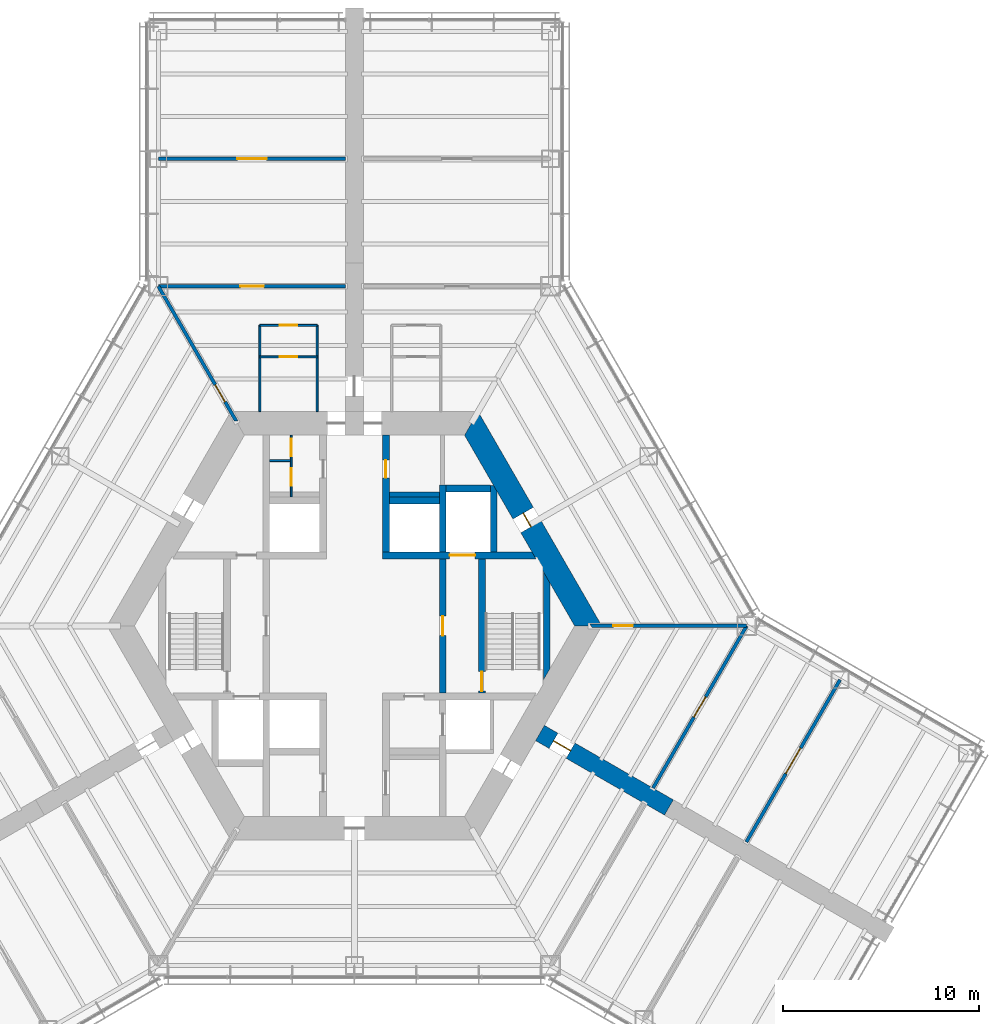
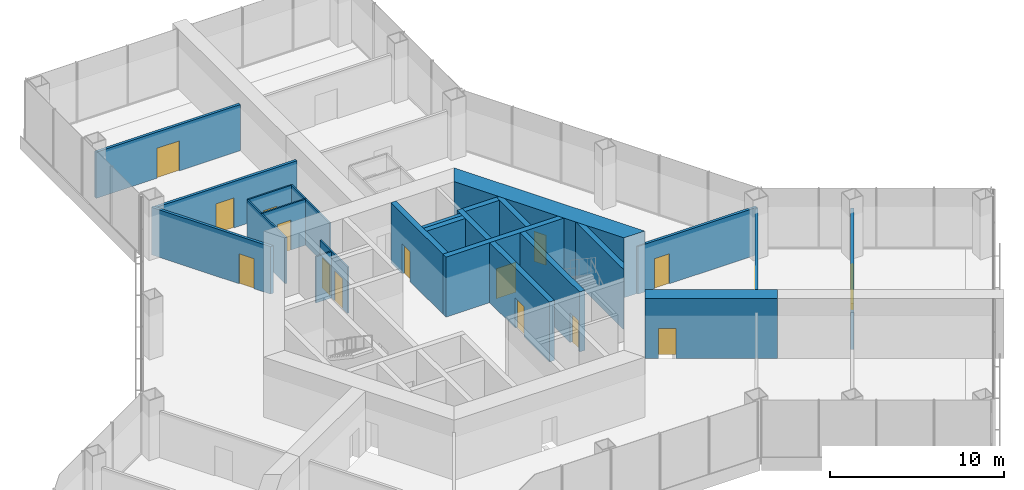
# One storey, part 12 of 15: 24 walls, 16 doors, 16 openings.
"""IFC4 building model written with IfcOpenShell, lengths in metres."""

from ifc_helpers import new_model, si_unit, direction, frame, frame_2d, origin, place, context, subcontext, project, spatial, polyline, rectangle, outline, extrude, material, layer, layer_set, type_object, element, fill, save


model = new_model("IFC4")

# Units and contexts
model_context = context("Model", 3, precision=1e-05, world=origin(), true_north=direction((0.0, 1.0)))
body_context = subcontext(model_context, "Body", "Model", "MODEL_VIEW")
ifc_project = project(units=[si_unit("LENGTHUNIT", "METRE"), si_unit("AREAUNIT", "SQUARE_METRE"), si_unit("VOLUMEUNIT", "CUBIC_METRE"), si_unit("PLANEANGLEUNIT", "RADIAN"), si_unit("MASSUNIT", "GRAM", prefix="KILO")], contexts=[model_context])

# Site, building, storey
site_placement = place(None, origin())
site = spatial("IfcSite", under=ifc_project, at=site_placement, CompositionType="ELEMENT")
building_placement = place(site_placement, origin())
building = spatial("IfcBuilding", under=site, at=building_placement, Name="Kasaneha Research Tower", CompositionType="ELEMENT")
storey_placement = place(building_placement, frame((0.0, 0.0, 35.199951171875)))
storey = spatial("IfcBuildingStorey", under=building, at=storey_placement, Name="L09", CompositionType="ELEMENT", Elevation=35.199951171875)

# Wall, opening, door
ifc_material_1 = material(Name="Concrete Fc100", Category="concrete")
ifc_layer_1 = layer(ifc_material_1, 0.35009765625)
ifc_layer_set_1 = layer_set([ifc_layer_1], Name="Core internal wall 350 Fc100")
wall_type_1 = type_object("IfcWallType", Name="Core internal wall 350 Fc100", PredefinedType="SHEAR", material=ifc_layer_set_1)
wall_1_placement = place(storey_placement, frame((1.425048828125, 3.60009765625, 0.0), z_axis=(0.0, 0.0, 1.0), x_axis=(1.0, 0.0, 0.0)))
wall_1 = element("IfcWall", 1, at=wall_1_placement, inside=storey, type_object=wall_type_1, Name="Core wall W1E L09", PredefinedType="SHEAR", context=body_context, shape_type="SweptSolid", body=[
    extrude(outline(polyline([(0.0, -0.175048828125), (3.425048828125, -0.175048828125), (4.72509765625, -0.175048828125), (7.8271484375, -0.175048828125), (7.625, 0.175048828125), (4.72509765625, 0.175048828125), (3.425048828125, 0.175048828125), (0.0, 0.175048828125), (0.0, -0.175048828125)])), origin(), (0.0, 0.0, 1.0), 4.199951171875),
])
opening_1_placement = place(wall_1_placement, frame((3.425048828125, 0.0, 0.0)))
opening_1 = element("IfcOpeningElement", 2, at=opening_1_placement, cuts=wall_1, Name="Opening LD-FL1-L09", PredefinedType="OPENING", context=body_context, shape_type="SweptSolid", body=[
    extrude(rectangle(XDim=1.300048828125, YDim=2.10009765625, at=frame_2d((0.64990234375, 1.050048828125))), frame((0.0, 0.18505859375, 0.0), z_axis=(0.0, -1.0, 0.0), x_axis=(1.0, 0.0, 0.0)), (0.0, 0.0, 1.0), 0.3701171875),
])
ifc_material_2 = material(Name="Steel", Category="steel")
door_type_1 = type_object("IfcDoorType", Name="Lift landing door 1300x2100", OperationType="DOUBLE_DOOR_SLIDING", PredefinedType="DOOR", material=ifc_material_2)
door_1_placement = place(opening_1_placement, origin())
door_1 = element("IfcDoor", 3, at=door_1_placement, inside=storey, type_object=door_type_1, Name="Landing door FL1 LD-FL1-L09", OperationType="DOUBLE_DOOR_SLIDING", OverallHeight=2.10009765625, OverallWidth=1.300048828125, PredefinedType="DOOR", context=body_context, shape_type="SweptSolid", body=[
    extrude(rectangle(XDim=1.300048828125, YDim=2.10009765625, at=frame_2d((0.64990234375, 1.050048828125))), frame((0.0, 0.02490234375, 0.0), z_axis=(0.0, -1.0, 0.0), x_axis=(1.0, 0.0, 0.0)), (0.0, 0.0, 1.0), 0.050048828125),
])
fill(opening_1, door_1)

wall_2_placement = place(storey_placement, frame((1.60009765625, 3.77490234375, 0.0), z_axis=(0.0, 0.0, 1.0), x_axis=(0.0, 1.0, 0.0)))
wall_2 = element("IfcWall", 4, at=wall_2_placement, inside=storey, type_object=wall_type_1, Name="Core wall CNE L09", PredefinedType="SHEAR", context=body_context, shape_type="SweptSolid", body=[
    extrude(rectangle(XDim=5.9501953125, YDim=0.35009765625, at=frame_2d((2.97509765625, 0.0))), origin(), (0.0, 0.0, 1.0), 4.199951171875),
])
opening_2_placement = place(wall_2_placement, frame((3.77490234375, 0.0, 0.0)))
opening_2 = element("IfcOpeningElement", 5, at=opening_2_placement, cuts=wall_2, Name="Opening L09-D14", PredefinedType="OPENING", context=body_context, shape_type="SweptSolid", body=[
    extrude(rectangle(XDim=0.89990234375, YDim=2.10009765625, at=frame_2d((0.449951171875, 1.050048828125))), frame((0.0, 0.18505859375, 0.0), z_axis=(0.0, -1.0, 0.0), x_axis=(1.0, 0.0, 0.0)), (0.0, 0.0, 1.0), 0.3701171875),
])
ifc_material_3 = material(Name="Steel", Category="steel")
door_type_2 = type_object("IfcDoorType", Name="Toilet door FD20 900x2100", OperationType="NOTDEFINED", PredefinedType="DOOR", material=ifc_material_3)
door_2_placement = place(opening_2_placement, origin())
door_2 = element("IfcDoor", 6, at=door_2_placement, inside=storey, type_object=door_type_2, Name="Women's WC door L09-D14", OperationType="SINGLE_SWING_LEFT", OverallHeight=2.10009765625, OverallWidth=0.89990234375, PredefinedType="DOOR", context=body_context, shape_type="SweptSolid", body=[
    extrude(rectangle(XDim=0.89990234375, YDim=2.10009765625, at=frame_2d((0.449951171875, 1.050048828125))), frame((0.0, 0.02490234375, 0.0), z_axis=(0.0, -1.0, 0.0), x_axis=(1.0, 0.0, 0.0)), (0.0, 0.0, 1.0), 0.050048828125),
])
fill(opening_2, door_2)

wall_3_placement = place(storey_placement, frame((4.5, -3.425048828125, 0.0), z_axis=(0.0, 0.0, 1.0), x_axis=(0.0, 1.0, 0.0)))
wall_3 = element("IfcWall", 7, at=wall_3_placement, inside=storey, type_object=wall_type_1, Name="Core wall LBE L09", PredefinedType="SHEAR", context=body_context, shape_type="SweptSolid", body=[
    extrude(rectangle(XDim=6.85009765625, YDim=0.35009765625, at=frame_2d((3.425048828125, 0.0))), origin(), (0.0, 0.0, 1.0), 4.199951171875),
])
opening_3_placement = place(wall_3_placement, frame((2.925048828125, 0.0, 0.0)))
opening_3 = element("IfcOpeningElement", 8, at=opening_3_placement, cuts=wall_3, Name="Opening L09-D08", PredefinedType="OPENING", context=body_context, shape_type="SweptSolid", body=[
    extrude(rectangle(XDim=1.0, YDim=2.10009765625, at=frame_2d((0.5, 1.050048828125))), frame((0.0, 0.18505859375, 0.0), z_axis=(0.0, -1.0, 0.0), x_axis=(1.0, 0.0, 0.0)), (0.0, 0.0, 1.0), 0.3701171875),
])
ifc_material_4 = material(Name="Steel", Category="steel")
door_type_3 = type_object("IfcDoorType", Name="Specified fire door FD60 1000x2100", OperationType="NOTDEFINED", PredefinedType="DOOR", material=ifc_material_4)
door_3_placement = place(opening_3_placement, origin())
door_3 = element("IfcDoor", 9, at=door_3_placement, inside=storey, type_object=door_type_3, Name="Lift lobby door east L09-D08", OperationType="SINGLE_SWING_LEFT", OverallHeight=2.10009765625, OverallWidth=1.0, PredefinedType="DOOR", context=body_context, shape_type="SweptSolid", body=[
    extrude(rectangle(XDim=1.0, YDim=2.10009765625, at=frame_2d((0.5, 1.050048828125))), frame((0.0, 0.02490234375, 0.0), z_axis=(0.0, -1.0, 0.0), x_axis=(1.0, 0.0, 0.0)), (0.0, 0.0, 1.0), 0.050048828125),
])
fill(opening_3, door_3)

wall_4_placement = place(storey_placement, frame((6.5, -3.425048828125, 0.0), z_axis=(0.0, 0.0, 1.0), x_axis=(0.0, 1.0, 0.0)))
wall_4 = element("IfcWall", 10, at=wall_4_placement, inside=storey, type_object=wall_type_1, Name="Core wall ANE L09", PredefinedType="SHEAR", context=body_context, shape_type="SweptSolid", body=[
    extrude(rectangle(XDim=6.85009765625, YDim=0.35009765625, at=frame_2d((3.425048828125, 0.0))), origin(), (0.0, 0.0, 1.0), 4.199951171875),
])
opening_4_placement = place(wall_4_placement, frame((0.10009765625, 0.0, 0.0)))
opening_4 = element("IfcOpeningElement", 11, at=opening_4_placement, cuts=wall_4, Name="Opening L09-D10", PredefinedType="OPENING", context=body_context, shape_type="SweptSolid", body=[
    extrude(rectangle(XDim=1.0, YDim=2.10009765625, at=frame_2d((0.5, 1.050048828125))), frame((0.0, 0.18505859375, 0.0), z_axis=(0.0, -1.0, 0.0), x_axis=(1.0, 0.0, 0.0)), (0.0, 0.0, 1.0), 0.3701171875),
])
door_4_placement = place(opening_4_placement, origin())
door_4 = element("IfcDoor", 12, at=door_4_placement, inside=storey, type_object=door_type_3, Name="Stair 1 door L09-D10", OperationType="SINGLE_SWING_LEFT", OverallHeight=2.10009765625, OverallWidth=1.0, PredefinedType="DOOR", context=body_context, shape_type="SweptSolid", body=[
    extrude(rectangle(XDim=1.0, YDim=2.10009765625, at=frame_2d((0.5, 1.050048828125))), frame((0.0, 0.02490234375, 0.0), z_axis=(0.0, -1.0, 0.0), x_axis=(1.0, 0.0, 0.0)), (0.0, 0.0, 1.0), 0.050048828125),
])
fill(opening_4, door_4)

# Walls
wall_5_placement = place(storey_placement, frame((4.5, 3.77490234375, 0.0), z_axis=(0.0, 0.0, 1.0), x_axis=(0.0, 1.0, 0.0)))
element("IfcWall", 13, at=wall_5_placement, inside=storey, type_object=wall_type_1, Name="Core wall FNE L09", PredefinedType="SHEAR", context=body_context, shape_type="SweptSolid", body=[
    extrude(rectangle(XDim=3.400146484375, YDim=0.35009765625, at=frame_2d((1.7001953125, 0.0))), origin(), (0.0, 0.0, 1.0), 4.199951171875),
])
wall_6_placement = place(storey_placement, frame((1.77490234375, 6.39990234375, 0.0), z_axis=(0.0, 0.0, 1.0), x_axis=(1.0, 0.0, 0.0)))
element("IfcWall", 14, at=wall_6_placement, inside=storey, type_object=wall_type_1, Name="Core wall N3N L09", PredefinedType="SHEAR", context=body_context, shape_type="SweptSolid", body=[
    extrude(rectangle(XDim=2.550048828125, YDim=0.35009765625, at=frame_2d((1.27490234375, 0.0))), origin(), (0.0, 0.0, 1.0), 4.199951171875),
])
wall_7_placement = place(storey_placement, frame((4.675048828125, 7.0, 0.0), z_axis=(0.0, 0.0, 1.0), x_axis=(1.0, 0.0, 0.0)))
element("IfcWall", 15, at=wall_7_placement, inside=storey, type_object=wall_type_1, Name="Core wall F1N L09", PredefinedType="SHEAR", context=body_context, shape_type="SweptSolid", body=[
    extrude(rectangle(XDim=2.25, YDim=0.35009765625, at=frame_2d((1.125, 0.0))), origin(), (0.0, 0.0, 1.0), 4.199951171875),
])
wall_8_placement = place(storey_placement, frame((7.10009765625, 3.77490234375, 0.0), z_axis=(0.0, 0.0, 1.0), x_axis=(0.0, 1.0, 0.0)))
element("IfcWall", 16, at=wall_8_placement, inside=storey, type_object=wall_type_1, Name="Core wall F1E L09", PredefinedType="SHEAR", context=body_context, shape_type="SweptSolid", body=[
    extrude(outline(polyline([(0.0, -0.175048828125), (3.07421875, -0.175048828125), (3.37744140625, 0.0), (3.39990234375, 0.175048828125), (0.0, 0.175048828125), (0.0, -0.175048828125)])), origin(), (0.0, 0.0, 1.0), 4.199951171875),
])
wall_9_placement = place(storey_placement, frame((9.807861328125, -2.462158203125, 0.0), z_axis=(0.0, 0.0, 1.0), x_axis=(0.0, 1.0, 0.0)))
element("IfcWall", 17, at=wall_9_placement, inside=storey, type_object=wall_type_1, Name="Core wall STE L09", PredefinedType="SHEAR", context=body_context, shape_type="SweptSolid", body=[
    extrude(outline(polyline([(0.30322265625, -0.175048828125), (4.62109375, -0.175048828125), (5.2275390625, 0.175048828125), (-0.30322265625, 0.175048828125), (0.30322265625, -0.175048828125)])), origin(), (0.0, 0.0, 1.0), 4.199951171875),
])

# Wall, opening, door
ifc_material_5 = material(Name="Concrete Fc100", Category="concrete")
ifc_layer_2 = layer(ifc_material_5, 1.199951171875)
ifc_layer_set_2 = layer_set([ifc_layer_2], Name="Core wall 1200 Fc100")
wall_type_2 = type_object("IfcWallType", Name="Core wall 1200 Fc100", PredefinedType="SHEAR", material=ifc_layer_set_2)
wall_10_placement = place(storey_placement, frame((11.92236328125, 0.0, 0.0), z_axis=(0.0, 0.0, 1.0), x_axis=(-0.500004296715, 0.866022923061, 0.0)))
wall_10 = element("IfcWall", 18, at=wall_10_placement, inside=storey, type_object=wall_type_2, Name="Core wall 030 L09", PredefinedType="SHEAR", context=body_context, shape_type="SweptSolid", body=[
    extrude(outline(polyline([(-0.346435546875, -0.60009765625), (5.83544921875, -0.60009765625), (6.635498046875, -0.60009765625), (12.268798828125, -0.60009765625), (11.575927734375, 0.60009765625), (6.635498046875, 0.60009765625), (5.83544921875, 0.60009765625), (0.346435546875, 0.60009765625), (-0.346435546875, -0.60009765625)])), origin(), (0.0, 0.0, 1.0), 4.199951171875),
])
opening_5_placement = place(wall_10_placement, frame((5.83544921875, 0.0, 0.0)))
opening_5 = element("IfcOpeningElement", 19, at=opening_5_placement, cuts=wall_10, Name="Opening L09-D04", PredefinedType="OPENING", context=body_context, shape_type="SweptSolid", body=[
    extrude(rectangle(XDim=0.800048828125, YDim=2.10009765625, at=frame_2d((0.39990234375, 1.050048828125))), frame((0.0, 0.60986328125, 0.0), z_axis=(0.0, -1.0, 0.0), x_axis=(1.0, 0.0, 0.0)), (0.0, 0.0, 1.0), 1.219970703125),
])
ifc_material_6 = material(Name="Steel", Category="steel")
door_type_4 = type_object("IfcDoorType", Name="Riser access door FD60 800x2100", OperationType="NOTDEFINED", PredefinedType="DOOR", material=ifc_material_6)
door_5_placement = place(opening_5_placement, origin())
door_5 = element("IfcDoor", 20, at=door_5_placement, inside=storey, type_object=door_type_4, Name="Pipe riser door L09-D04", OperationType="SINGLE_SWING_RIGHT", OverallHeight=2.10009765625, OverallWidth=0.800048828125, PredefinedType="DOOR", context=body_context, shape_type="SweptSolid", body=[
    extrude(rectangle(XDim=0.800048828125, YDim=2.10009765625, at=frame_2d((0.39990234375, 1.050048828125))), frame((0.0, 0.02490234375, 0.0), z_axis=(0.0, -1.0, 0.0), x_axis=(1.0, 0.0, 0.0)), (0.0, 0.0, 1.0), 0.050048828125),
])
fill(opening_5, door_5)

ifc_material_7 = material(Name="Gypsum board on steel studs, two layers each side", Category="steel")
ifc_layer_3 = layer(ifc_material_7, 0.175048828125)
ifc_layer_set_3 = layer_set([ifc_layer_3], Name="Laboratory fire partition 175")
wall_type_3 = type_object("IfcWallType", Name="Laboratory fire partition 175", PredefinedType="PARTITIONING", material=ifc_layer_set_3)
wall_11_placement = place(storey_placement, frame((-0.449951171875, 17.320556640625, 0.0), z_axis=(0.0, 0.0, 1.0), x_axis=(-1.0, 0.0, 0.0)))
wall_11 = element("IfcWall", 21, at=wall_11_placement, inside=storey, type_object=wall_type_3, Name="Laboratory fire partition LABA-W L09", PredefinedType="PARTITIONING", context=body_context, shape_type="SweptSolid", body=[
    extrude(rectangle(XDim=9.550048828125, YDim=0.175048828125, at=frame_2d((4.77490234375, 0.0))), origin(), (0.0, 0.0, 1.0), 3.238037109375),
])
opening_6_placement = place(wall_11_placement, frame((4.175048828125, 0.0, 0.0)))
opening_6 = element("IfcOpeningElement", 22, at=opening_6_placement, cuts=wall_11, Name="Opening L09-D31", PredefinedType="OPENING", context=body_context, shape_type="SweptSolid", body=[
    extrude(rectangle(XDim=1.199951171875, YDim=2.10009765625, at=frame_2d((0.60009765625, 1.050048828125))), frame((0.0, 0.09765625, 0.0), z_axis=(0.0, -1.0, 0.0), x_axis=(1.0, 0.0, 0.0)), (0.0, 0.0, 1.0), 0.195068359375),
])
ifc_material_8 = material(Name="Steel", Category="steel")
door_type_5 = type_object("IfcDoorType", Name="Laboratory door FD60 1200x2100", OperationType="DOUBLE_DOOR_SINGLE_SWING", PredefinedType="DOOR", material=ifc_material_8)
door_6_placement = place(opening_6_placement, origin())
door_6 = element("IfcDoor", 23, at=door_6_placement, inside=storey, type_object=door_type_5, Name="Laboratory door L09-D31", OperationType="DOUBLE_DOOR_SINGLE_SWING", OverallHeight=2.10009765625, OverallWidth=1.199951171875, PredefinedType="DOOR", context=body_context, shape_type="SweptSolid", body=[
    extrude(rectangle(XDim=1.199951171875, YDim=2.10009765625, at=frame_2d((0.60009765625, 1.050048828125))), frame((0.0, 0.02490234375, 0.0), z_axis=(0.0, -1.0, 0.0), x_axis=(1.0, 0.0, 0.0)), (0.0, 0.0, 1.0), 0.050048828125),
])
fill(opening_6, door_6)

wall_12_placement = place(storey_placement, frame((-0.449951171875, 23.820556640625, 0.0), z_axis=(0.0, 0.0, 1.0), x_axis=(-1.0, 0.0, 0.0)))
wall_12 = element("IfcWall", 24, at=wall_12_placement, inside=storey, type_object=wall_type_3, Name="Laboratory fire partition INSA-W L09", PredefinedType="PARTITIONING", context=body_context, shape_type="SweptSolid", body=[
    extrude(rectangle(XDim=9.550048828125, YDim=0.175048828125, at=frame_2d((4.77490234375, 0.0))), origin(), (0.0, 0.0, 1.0), 3.22998046875),
])
opening_7_placement = place(wall_12_placement, frame((4.02490234375, 0.0, 0.0)))
opening_7 = element("IfcOpeningElement", 25, at=opening_7_placement, cuts=wall_12, Name="Opening L09-D32", PredefinedType="OPENING", context=body_context, shape_type="SweptSolid", body=[
    extrude(rectangle(XDim=1.5, YDim=2.10009765625, at=frame_2d((0.75, 1.050048828125))), frame((0.0, 0.09765625, 0.0), z_axis=(0.0, -1.0, 0.0), x_axis=(1.0, 0.0, 0.0)), (0.0, 0.0, 1.0), 0.195068359375),
])
ifc_material_9 = material(Name="Steel", Category="steel")
door_type_6 = type_object("IfcDoorType", Name="Laboratory door FD60 1500x2100", OperationType="DOUBLE_DOOR_SINGLE_SWING", PredefinedType="DOOR", material=ifc_material_9)
door_7_placement = place(opening_7_placement, origin())
door_7 = element("IfcDoor", 26, at=door_7_placement, inside=storey, type_object=door_type_6, Name="Instrument room door L09-D32", OperationType="DOUBLE_DOOR_SINGLE_SWING", OverallHeight=2.10009765625, OverallWidth=1.5, PredefinedType="DOOR", context=body_context, shape_type="SweptSolid", body=[
    extrude(rectangle(XDim=1.5, YDim=2.10009765625, at=frame_2d((0.75, 1.050048828125))), frame((0.0, 0.02490234375, 0.0), z_axis=(0.0, -1.0, 0.0), x_axis=(1.0, 0.0, 0.0)), (0.0, 0.0, 1.0), 0.050048828125),
])
fill(opening_7, door_7)

wall_13_placement = place(storey_placement, frame((15.22509765625, -8.2705078125, 0.0), z_axis=(0.0, 0.0, 1.0), x_axis=(0.499993908199, 0.866028920859, 0.0)))
wall_13 = element("IfcWall", 27, at=wall_13_placement, inside=storey, type_object=wall_type_3, Name="Laboratory fire partition LABC-E L09", PredefinedType="PARTITIONING", context=body_context, shape_type="SweptSolid", body=[
    extrude(rectangle(XDim=9.5498046875, YDim=0.175048828125, at=frame_2d((4.77490234375, 0.0))), origin(), (0.0, 0.0, 1.0), 3.238037109375),
])
opening_8_placement = place(wall_13_placement, frame((4.175048828125, 0.0, 0.0)))
opening_8 = element("IfcOpeningElement", 28, at=opening_8_placement, cuts=wall_13, Name="Opening L09-D37", PredefinedType="OPENING", context=body_context, shape_type="SweptSolid", body=[
    extrude(rectangle(XDim=1.199951171875, YDim=2.10009765625, at=frame_2d((0.60009765625, 1.050048828125))), frame((0.0, 0.09765625, 0.0), z_axis=(0.0, -1.0, 0.0), x_axis=(1.0, 0.0, 0.0)), (0.0, 0.0, 1.0), 0.195068359375),
])
door_8_placement = place(opening_8_placement, origin())
door_8 = element("IfcDoor", 29, at=door_8_placement, inside=storey, type_object=door_type_5, Name="Laboratory door L09-D37", OperationType="DOUBLE_DOOR_SINGLE_SWING", OverallHeight=2.10009765625, OverallWidth=1.199951171875, PredefinedType="DOOR", context=body_context, shape_type="SweptSolid", body=[
    extrude(rectangle(XDim=1.199951171875, YDim=2.10009765625, at=frame_2d((0.60009765625, 1.050048828125))), frame((0.0, 0.02490234375, 0.0), z_axis=(0.0, -1.0, 0.0), x_axis=(1.0, 0.0, 0.0)), (0.0, 0.0, 1.0), 0.050048828125),
])
fill(opening_8, door_8)

wall_14_placement = place(storey_placement, frame((19.988037109375, -11.0205078125, 0.0), z_axis=(0.0, 0.0, 1.0), x_axis=(0.500013081493, 0.866017851049, 0.0)))
wall_14 = element("IfcWall", 30, at=wall_14_placement, inside=storey, type_object=wall_type_3, Name="Laboratory fire partition INSC-E L09", PredefinedType="PARTITIONING", context=body_context, shape_type="SweptSolid", body=[
    extrude(rectangle(XDim=9.550048828125, YDim=0.175048828125, at=frame_2d((4.77490234375, 0.0))), origin(), (0.0, 0.0, 1.0), 3.22998046875),
])
opening_9_placement = place(wall_14_placement, frame((4.02490234375, 0.0, 0.0)))
opening_9 = element("IfcOpeningElement", 31, at=opening_9_placement, cuts=wall_14, Name="Opening L09-D38", PredefinedType="OPENING", context=body_context, shape_type="SweptSolid", body=[
    extrude(rectangle(XDim=1.5, YDim=2.10009765625, at=frame_2d((0.75, 1.050048828125))), frame((0.0, 0.09765625, 0.0), z_axis=(0.0, -1.0, 0.0), x_axis=(1.0, 0.0, 0.0)), (0.0, 0.0, 1.0), 0.195068359375),
])
door_9_placement = place(opening_9_placement, origin())
door_9 = element("IfcDoor", 32, at=door_9_placement, inside=storey, type_object=door_type_6, Name="Instrument room door L09-D38", OperationType="DOUBLE_DOOR_SINGLE_SWING", OverallHeight=2.10009765625, OverallWidth=1.5, PredefinedType="DOOR", context=body_context, shape_type="SweptSolid", body=[
    extrude(rectangle(XDim=1.5, YDim=2.10009765625, at=frame_2d((0.75, 1.050048828125))), frame((0.0, 0.02490234375, 0.0), z_axis=(0.0, -1.0, 0.0), x_axis=(1.0, 0.0, 0.0)), (0.0, 0.0, 1.0), 0.050048828125),
])
fill(opening_9, door_9)

# Wall, openings, doors
ifc_material_10 = material(Name="Gypsum board on steel studs, one layer each side", Category="steel")
ifc_layer_4 = layer(ifc_material_10, 0.10009765625)
ifc_layer_set_4 = layer_set([ifc_layer_4], Name="Office partition 100")
wall_type_4 = type_object("IfcWallType", Name="Office partition 100", PredefinedType="PARTITIONING", material=ifc_layer_set_4)
wall_15_placement = place(storey_placement, frame((-3.22509765625, 6.574951171875, 0.0), z_axis=(0.0, 0.0, 1.0), x_axis=(0.0, 1.0, 0.0)))
wall_15 = element("IfcWall", 33, at=wall_15_placement, inside=storey, type_object=wall_type_4, Name="Office partition TBM1 L09", PredefinedType="PARTITIONING", context=body_context, shape_type="SweptSolid", body=[
    extrude(rectangle(XDim=3.150146484375, YDim=0.10009765625, at=frame_2d((1.5751953125, 0.0))), origin(), (0.0, 0.0, 1.0), 3.22998046875),
])
opening_10_placement = place(wall_15_placement, frame((0.574951171875, 0.0, 0.0)))
opening_10 = element("IfcOpeningElement", 34, at=opening_10_placement, cuts=wall_15, Name="Opening L09-D20", PredefinedType="OPENING", context=body_context, shape_type="SweptSolid", body=[
    extrude(rectangle(XDim=0.89990234375, YDim=2.10009765625, at=frame_2d((0.449951171875, 1.050048828125))), frame((0.0, 0.06005859375, 0.0), z_axis=(0.0, -1.0, 0.0), x_axis=(1.0, 0.0, 0.0)), (0.0, 0.0, 1.0), 0.1201171875),
])
opening_11_placement = place(wall_15_placement, frame((2.074951171875, 0.0, 0.0)))
opening_11 = element("IfcOpeningElement", 35, at=opening_11_placement, cuts=wall_15, Name="Opening L09-D21", PredefinedType="OPENING", context=body_context, shape_type="SweptSolid", body=[
    extrude(rectangle(XDim=0.89990234375, YDim=2.10009765625, at=frame_2d((0.449951171875, 1.050048828125))), frame((0.0, 0.06005859375, 0.0), z_axis=(0.0, -1.0, 0.0), x_axis=(1.0, 0.0, 0.0)), (0.0, 0.0, 1.0), 0.1201171875),
])
ifc_material_11 = material(Name="Steel", Category="steel")
door_type_7 = type_object("IfcDoorType", Name="Toilet lobby door FD30 900x2100", OperationType="NOTDEFINED", PredefinedType="DOOR", material=ifc_material_11)
door_10_placement = place(opening_10_placement, origin())
door_10 = element("IfcDoor", 36, at=door_10_placement, inside=storey, type_object=door_type_7, Name="Men's WC door L09-D20", OperationType="SINGLE_SWING_RIGHT", OverallHeight=2.10009765625, OverallWidth=0.89990234375, PredefinedType="DOOR", context=body_context, shape_type="SweptSolid", body=[
    extrude(rectangle(XDim=0.89990234375, YDim=2.10009765625, at=frame_2d((0.449951171875, 1.050048828125))), frame((0.0, 0.02490234375, 0.0), z_axis=(0.0, -1.0, 0.0), x_axis=(1.0, 0.0, 0.0)), (0.0, 0.0, 1.0), 0.050048828125),
])
fill(opening_10, door_10)
door_11_placement = place(opening_11_placement, origin())
door_11 = element("IfcDoor", 37, at=door_11_placement, inside=storey, type_object=door_type_7, Name="Cleaner's store door L09-D21", OperationType="SINGLE_SWING_RIGHT", OverallHeight=2.10009765625, OverallWidth=0.89990234375, PredefinedType="DOOR", context=body_context, shape_type="SweptSolid", body=[
    extrude(rectangle(XDim=0.89990234375, YDim=2.10009765625, at=frame_2d((0.449951171875, 1.050048828125))), frame((0.0, 0.02490234375, 0.0), z_axis=(0.0, -1.0, 0.0), x_axis=(1.0, 0.0, 0.0)), (0.0, 0.0, 1.0), 0.050048828125),
])
fill(opening_11, door_11)

# Wall
wall_16_placement = place(storey_placement, frame((-3.27490234375, 8.425048828125, 0.0), z_axis=(0.0, 0.0, 1.0), x_axis=(-1.0, 0.0, 0.0)))
element("IfcWall", 38, at=wall_16_placement, inside=storey, type_object=wall_type_4, Name="Office partition TBM2 L09", PredefinedType="PARTITIONING", context=body_context, shape_type="SweptSolid", body=[
    extrude(rectangle(XDim=1.050048828125, YDim=0.10009765625, at=frame_2d((0.52490234375, 0.0))), origin(), (0.0, 0.0, 1.0), 3.22998046875),
])

# Wall, opening, door
wall_17_placement = place(storey_placement, frame((-4.82861328125, 13.72509765625, 0.0), z_axis=(0.0, 0.0, 1.0), x_axis=(1.0, 0.0, 0.0)))
wall_17 = element("IfcWall", 39, at=wall_17_placement, inside=storey, type_object=wall_type_4, Name="Office partition WCAW1 L09", PredefinedType="PARTITIONING", context=body_context, shape_type="SweptSolid", body=[
    extrude(rectangle(XDim=2.9287109375, YDim=0.10009765625, at=frame_2d((1.46435546875, 0.0))), origin(), (0.0, 0.0, 1.0), 3.22998046875),
])
opening_12_placement = place(wall_17_placement, frame((1.01416015625, 0.0, 0.0)))
opening_12 = element("IfcOpeningElement", 40, at=opening_12_placement, cuts=wall_17, Name="Opening L09-D29", PredefinedType="OPENING", context=body_context, shape_type="SweptSolid", body=[
    extrude(rectangle(XDim=0.89990234375, YDim=2.10009765625, at=frame_2d((0.449951171875, 1.050048828125))), frame((0.0, 0.06005859375, 0.0), z_axis=(0.0, -1.0, 0.0), x_axis=(1.0, 0.0, 0.0)), (0.0, 0.0, 1.0), 0.1201171875),
])
door_12_placement = place(opening_12_placement, origin())
door_12 = element("IfcDoor", 41, at=door_12_placement, inside=storey, type_object=door_type_7, Name="Men's WC door L09-D29", OperationType="SINGLE_SWING_LEFT", OverallHeight=2.10009765625, OverallWidth=0.89990234375, PredefinedType="DOOR", context=body_context, shape_type="SweptSolid", body=[
    extrude(rectangle(XDim=0.89990234375, YDim=2.10009765625, at=frame_2d((0.449951171875, 1.050048828125))), frame((0.0, 0.02490234375, 0.0), z_axis=(0.0, -1.0, 0.0), x_axis=(1.0, 0.0, 0.0)), (0.0, 0.0, 1.0), 0.050048828125),
])
fill(opening_12, door_12)

wall_18_placement = place(storey_placement, frame((-4.82861328125, 15.324951171875, 0.0), z_axis=(0.0, 0.0, 1.0), x_axis=(1.0, 0.0, 0.0)))
wall_18 = element("IfcWall", 42, at=wall_18_placement, inside=storey, type_object=wall_type_4, Name="Office partition WCAW4 L09", PredefinedType="PARTITIONING", context=body_context, shape_type="SweptSolid", body=[
    extrude(rectangle(XDim=2.9287109375, YDim=0.10009765625, at=frame_2d((1.46435546875, 0.0))), origin(), (0.0, 0.0, 1.0), 3.22998046875),
])
opening_13_placement = place(wall_18_placement, frame((1.01416015625, 0.0, 0.0)))
opening_13 = element("IfcOpeningElement", 43, at=opening_13_placement, cuts=wall_18, Name="Opening L09-D30", PredefinedType="OPENING", context=body_context, shape_type="SweptSolid", body=[
    extrude(rectangle(XDim=0.89990234375, YDim=2.10009765625, at=frame_2d((0.449951171875, 1.050048828125))), frame((0.0, 0.06005859375, 0.0), z_axis=(0.0, -1.0, 0.0), x_axis=(1.0, 0.0, 0.0)), (0.0, 0.0, 1.0), 0.1201171875),
])
door_13_placement = place(opening_13_placement, origin())
door_13 = element("IfcDoor", 44, at=door_13_placement, inside=storey, type_object=door_type_7, Name="Toilet lobby door L09-D30", OperationType="SINGLE_SWING_LEFT", OverallHeight=2.10009765625, OverallWidth=0.89990234375, PredefinedType="DOOR", context=body_context, shape_type="SweptSolid", body=[
    extrude(rectangle(XDim=0.89990234375, YDim=2.10009765625, at=frame_2d((0.449951171875, 1.050048828125))), frame((0.0, 0.02490234375, 0.0), z_axis=(0.0, -1.0, 0.0), x_axis=(1.0, 0.0, 0.0)), (0.0, 0.0, 1.0), 0.050048828125),
])
fill(opening_13, door_13)

# Walls
for number, where, z_axis, x_axis, name in (
    (45, (-1.89990234375, 10.925048828125, 0.0), (0.0, 0.0, 1.0), (0.0, 1.0, 0.0), "Office partition WCAW2 L09"),
    (46, (-4.82861328125, 10.925048828125, 0.0), (0.0, 0.0, 1.0), (0.0, 1.0, 0.0), "Office partition WCAW3 L09"),
):
    element("IfcWall", number, at=place(storey_placement, frame(where, z_axis=z_axis, x_axis=x_axis)), inside=storey, type_object=wall_type_4, Name=name, PredefinedType="PARTITIONING", context=body_context, shape_type="SweptSolid", body=[
        extrude(rectangle(XDim=4.39990234375, YDim=0.10009765625, at=frame_2d((2.199951171875, 0.0))), origin(), (0.0, 0.0, 1.0), 3.22998046875),
    ])

# Wall, opening, door
ifc_material_12 = material(Name="Concrete Fc100", Category="concrete")
ifc_layer_5 = layer(ifc_material_12, 0.89990234375)
ifc_layer_set_5 = layer_set([ifc_layer_5], Name="Spine wall 900 Fc100")
wall_type_5 = type_object("IfcWallType", Name="Spine wall 900 Fc100", PredefinedType="SHEAR", material=ifc_layer_set_5)
wall_19_placement = place(storey_placement, frame((9.46142578125, -5.46240234375, 0.0), z_axis=(0.0, 0.0, 1.0), x_axis=(0.866019116917, -0.500010889016, 0.0)))
wall_19 = element("IfcWall", 47, at=wall_19_placement, inside=storey, type_object=wall_type_5, Name="Spine wall C L09", PredefinedType="SHEAR", context=body_context, shape_type="SweptSolid", body=[
    extrude(rectangle(XDim=7.595458984375, YDim=0.89990234375, at=frame_2d((3.7978515625, 0.0))), origin(), (0.0, 0.0, 1.0), 4.199951171875),
])
opening_14_placement = place(wall_19_placement, frame((0.800048828125, 0.0, 0.0)))
opening_14 = element("IfcOpeningElement", 48, at=opening_14_placement, cuts=wall_19, Name="Opening L09-D19", PredefinedType="OPENING", context=body_context, shape_type="SweptSolid", body=[
    extrude(rectangle(XDim=1.0, YDim=2.10009765625, at=frame_2d((0.5, 1.050048828125))), frame((0.0, 0.4599609375, 0.0), z_axis=(0.0, -1.0, 0.0), x_axis=(1.0, 0.0, 0.0)), (0.0, 0.0, 1.0), 0.919921875),
])
door_14_placement = place(opening_14_placement, origin())
door_14 = element("IfcDoor", 49, at=door_14_placement, inside=storey, type_object=door_type_3, Name="Spine doorway C L09-D19", OperationType="SINGLE_SWING_LEFT", OverallHeight=2.10009765625, OverallWidth=1.0, PredefinedType="DOOR", context=body_context, shape_type="SweptSolid", body=[
    extrude(rectangle(XDim=1.0, YDim=2.10009765625, at=frame_2d((0.5, 1.050048828125))), frame((0.0, 0.02490234375, 0.0), z_axis=(0.0, -1.0, 0.0), x_axis=(1.0, 0.0, 0.0)), (0.0, 0.0, 1.0), 0.050048828125),
])
fill(opening_14, door_14)

ifc_material_13 = material(Name="Gypsum board on steel studs, two layers each side", Category="steel")
ifc_layer_6 = layer(ifc_material_13, 0.175048828125)
ifc_layer_set_6 = layer_set([ifc_layer_6], Name="Tenancy fire partition 175")
wall_type_6 = type_object("IfcWallType", Name="Tenancy fire partition 175", PredefinedType="PARTITIONING", material=ifc_layer_set_6)
wall_20_placement = place(storey_placement, frame((12.070068359375, 0.0, 0.0), z_axis=(0.0, 0.0, 1.0), x_axis=(1.0, 0.0, 0.0)))
wall_20 = element("IfcWall", 50, at=wall_20_placement, inside=storey, type_object=wall_type_6, Name="Tenancy fire partition T000 L09", PredefinedType="PARTITIONING", context=body_context, shape_type="SweptSolid", body=[
    extrude(outline(polyline([(0.050537109375, -0.08740234375), (1.12939453125, -0.08740234375), (2.12939453125, -0.08740234375), (7.929931640625, -0.08740234375), (7.929931640625, 0.08740234375), (2.12939453125, 0.08740234375), (1.12939453125, 0.08740234375), (-0.050537109375, 0.08740234375), (0.050537109375, -0.08740234375)])), origin(), (0.0, 0.0, 1.0), 3.330078125),
])
opening_15_placement = place(wall_20_placement, frame((1.12939453125, 0.0, 0.0)))
opening_15 = element("IfcOpeningElement", 51, at=opening_15_placement, cuts=wall_20, Name="Opening L09-D22", PredefinedType="OPENING", context=body_context, shape_type="SweptSolid", body=[
    extrude(rectangle(XDim=1.0, YDim=2.10009765625, at=frame_2d((0.5, 1.050048828125))), frame((0.0, 0.09765625, 0.0), z_axis=(0.0, -1.0, 0.0), x_axis=(1.0, 0.0, 0.0)), (0.0, 0.0, 1.0), 0.195068359375),
])
ifc_material_14 = material(Name="Steel", Category="steel")
door_type_8 = type_object("IfcDoorType", Name="Suite entrance door FD60 1000x2100", OperationType="NOTDEFINED", PredefinedType="DOOR", material=ifc_material_14)
door_15_placement = place(opening_15_placement, origin())
door_15 = element("IfcDoor", 52, at=door_15_placement, inside=storey, type_object=door_type_8, Name="Connecting door L09-D22", OperationType="SINGLE_SWING_LEFT", OverallHeight=2.10009765625, OverallWidth=1.0, PredefinedType="DOOR", context=body_context, shape_type="SweptSolid", body=[
    extrude(rectangle(XDim=1.0, YDim=2.10009765625, at=frame_2d((0.5, 1.050048828125))), frame((0.0, 0.02490234375, 0.0), z_axis=(0.0, -1.0, 0.0), x_axis=(1.0, 0.0, 0.0)), (0.0, 0.0, 1.0), 0.050048828125),
])
fill(opening_15, door_15)

wall_21_placement = place(storey_placement, frame((-6.03515625, 10.453125, 0.0), z_axis=(0.0, 0.0, 1.0), x_axis=(-0.499993402427, 0.866029212861, 0.0)))
wall_21 = element("IfcWall", 53, at=wall_21_placement, inside=storey, type_object=wall_type_6, Name="Tenancy fire partition T120 L09", PredefinedType="PARTITIONING", context=body_context, shape_type="SweptSolid", body=[
    extrude(outline(polyline([(-0.050537109375, -0.08740234375), (1.12939453125, -0.08740234375), (2.12939453125, -0.08740234375), (7.9296875, -0.08740234375), (7.9296875, 0.08740234375), (2.12939453125, 0.08740234375), (1.12939453125, 0.08740234375), (0.050537109375, 0.08740234375), (-0.050537109375, -0.08740234375)])), origin(), (0.0, 0.0, 1.0), 3.330078125),
])
opening_16_placement = place(wall_21_placement, frame((1.12939453125, 0.0, 0.0)))
opening_16 = element("IfcOpeningElement", 54, at=opening_16_placement, cuts=wall_21, Name="Opening L09-D23", PredefinedType="OPENING", context=body_context, shape_type="SweptSolid", body=[
    extrude(rectangle(XDim=1.0, YDim=2.10009765625, at=frame_2d((0.5, 1.050048828125))), frame((0.0, 0.09765625, 0.0), z_axis=(0.0, -1.0, 0.0), x_axis=(1.0, 0.0, 0.0)), (0.0, 0.0, 1.0), 0.195068359375),
])
door_16_placement = place(opening_16_placement, origin())
door_16 = element("IfcDoor", 55, at=door_16_placement, inside=storey, type_object=door_type_8, Name="Connecting door L09-D23", OperationType="SINGLE_SWING_LEFT", OverallHeight=2.10009765625, OverallWidth=1.0, PredefinedType="DOOR", context=body_context, shape_type="SweptSolid", body=[
    extrude(rectangle(XDim=1.0, YDim=2.10009765625, at=frame_2d((0.5, 1.050048828125))), frame((0.0, 0.02490234375, 0.0), z_axis=(0.0, -1.0, 0.0), x_axis=(1.0, 0.0, 0.0)), (0.0, 0.0, 1.0), 0.050048828125),
])
fill(opening_16, door_16)

# Wall
ifc_material_15 = material(Name="Concrete block lining", Category="concrete")
ifc_layer_7 = layer(ifc_material_15, 0.25)
ifc_layer_set_7 = layer_set([ifc_layer_7], Name="WC plumbing wall 250")
wall_type_7 = type_object("IfcWallType", Name="WC plumbing wall 250", PredefinedType="PLUMBINGWALL", material=ifc_layer_set_7)
wall_22_placement = place(storey_placement, frame((1.77490234375, 6.699951171875, 0.0), z_axis=(0.0, 0.0, 1.0), x_axis=(1.0, 0.0, 0.0)))
element("IfcWall", 56, at=wall_22_placement, inside=storey, type_object=wall_type_7, Name="WC plumbing wall F L09", PredefinedType="PLUMBINGWALL", context=body_context, shape_type="SweptSolid", body=[
    extrude(rectangle(XDim=2.550048828125, YDim=0.25, at=frame_2d((1.27490234375, 0.0))), origin(), (0.0, 0.0, 1.0), 4.199951171875),
])

save(model, "model.ifc")
